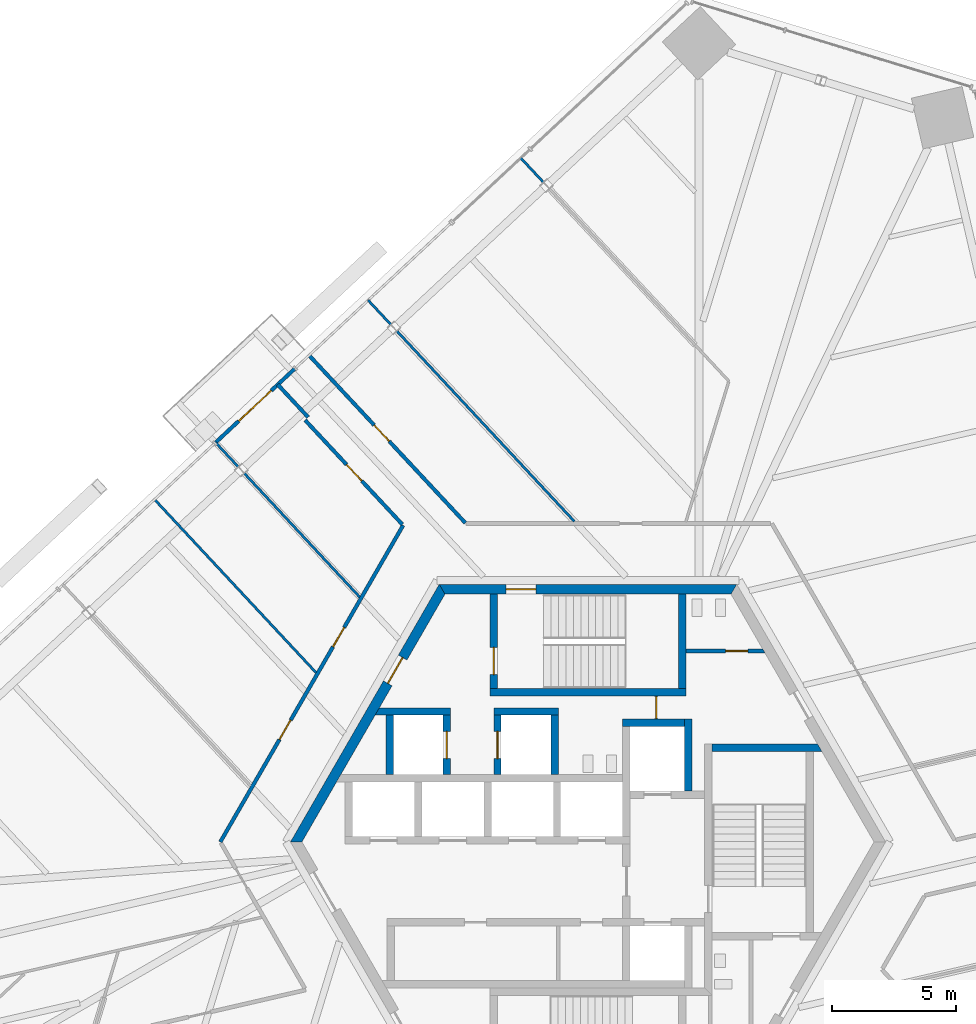
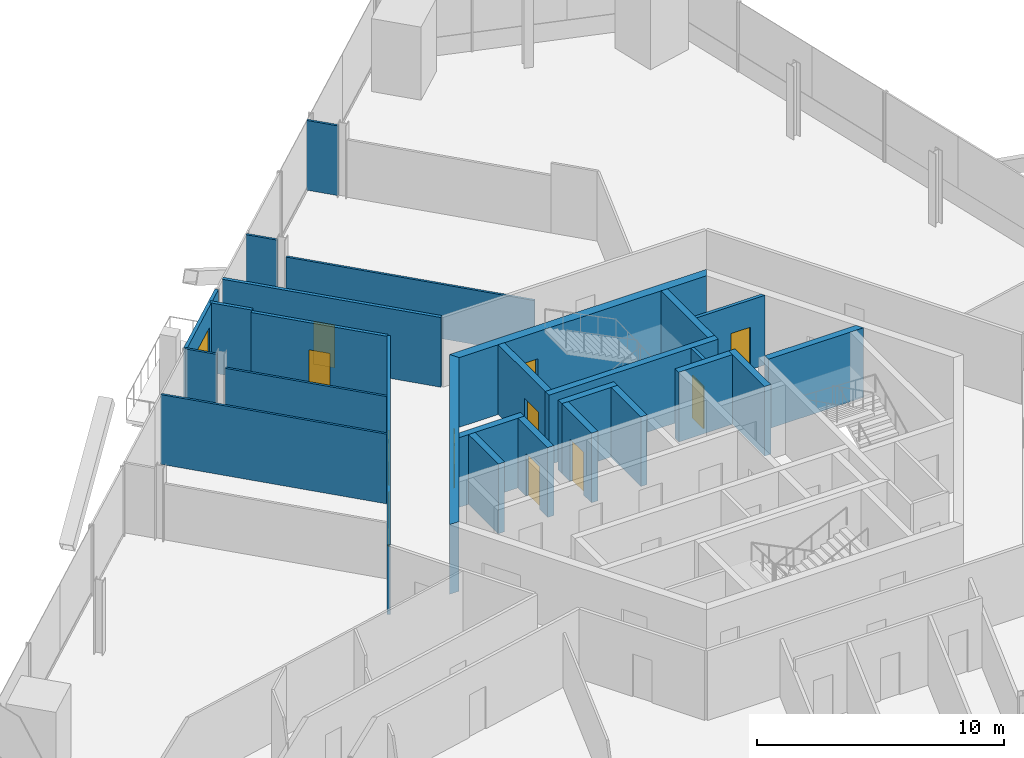
# One storey, part 14 of 19: 27 walls, 12 doors, 12 openings.
"""IFC4 building model written with IfcOpenShell, lengths in metres."""

import ifcopenshell
import ifcopenshell.guid

model = None  # the IFC model being written
_history = None  # IfcOwnerHistory: only IFC2X3 demands one
_inside = {}  # id of a spatial element -> (the spatial element, [elements in it])
_under = {}  # id of a project, library or spatial element -> (it, [spatial elements below it])
_declared = {}  # id of a project -> (the project, [libraries it declares])
_typed = {}  # id of a type object -> (the type object, [elements of that type])
_made_of = {}  # id of a material, layer set ... -> (it, [elements and type objects made of it])


def new_model(schema):
    """Start an empty IFC model of exactly this schema.

    Asked for "IFC4X3", IfcOpenShell would pick the latest addendum, in which some entities
    have other attributes; the version numbers below select the first issue.
    IFC2X3 requires an IfcOwnerHistory on every rooted entity: one is made here for all.
    """
    global model, _history
    if schema == "IFC4X3":
        model = ifcopenshell.file(schema_version=(4, 3, 0, 0))
    else:
        model = ifcopenshell.file(schema=schema)
    _inside.clear()
    _under.clear()
    _declared.clear()
    _typed.clear()
    _made_of.clear()
    _history = None
    if model.schema == "IFC2X3":
        org = make("IfcOrganization", Name="unknown")
        user = make(
            "IfcPersonAndOrganization",
            ThePerson=make("IfcPerson", FamilyName="unknown"),
            TheOrganization=org,
        )
        app = make(
            "IfcApplication",
            ApplicationDeveloper=org,
            Version="unknown",
            ApplicationFullName="unknown",
            ApplicationIdentifier="unknown",
        )
        _history = make(
            "IfcOwnerHistory",
            OwningUser=user,
            OwningApplication=app,
            ChangeAction="ADDED",
            CreationDate=0,
        )
    return model


def make(cls, **values):
    """One entity of the class cls with the attributes given. An attribute that is None is left unset."""
    return model.create_entity(
        cls, **{name: value for name, value in values.items() if value is not None}
    )


def rooted(cls, **values):
    """An entity with a GlobalId (a new one), such as an element, a storey or a relation."""
    return make(cls, GlobalId=ifcopenshell.guid.new(), OwnerHistory=_history, **values)


def si_unit(unit_type, name, prefix=None):
    """IfcSIUnit, for example si_unit("LENGTHUNIT", "METRE", prefix="MILLI")."""
    return make("IfcSIUnit", UnitType=unit_type, Prefix=prefix, Name=name)


def assignment(units):
    """IfcUnitAssignment: the units of a project."""
    return None if units is None else make("IfcUnitAssignment", Units=units)


def point(xyz):
    """IfcCartesianPoint."""
    return None if xyz is None else make("IfcCartesianPoint", Coordinates=xyz)


def direction(xyz):
    """IfcDirection."""
    return None if xyz is None else make("IfcDirection", DirectionRatios=xyz)


def frame(location, z_axis=None, x_axis=None):
    """IfcAxis2Placement3D, a coordinate frame: its origin and axes. An axis left out is left unset."""
    return make(
        "IfcAxis2Placement3D",
        Location=point(location),
        Axis=direction(z_axis),
        RefDirection=direction(x_axis),
    )


def frame_2d(location, x_axis=None):
    """IfcAxis2Placement2D, a coordinate frame in the plane: its origin and x axis."""
    return make(
        "IfcAxis2Placement2D", Location=point(location), RefDirection=direction(x_axis)
    )


def origin():
    """The frame at (0, 0, 0) with its axes left unset."""
    return frame((0.0, 0.0, 0.0))


def place(relative_to, where):
    """IfcLocalPlacement: puts the frame where relative to a parent placement (None: the world)."""
    return make(
        "IfcLocalPlacement", PlacementRelTo=relative_to, RelativePlacement=where
    )


def context(
    kind, dimensions, precision=None, world=None, true_north=None, identifier=None
):
    """IfcGeometricRepresentationContext, for example the 3D "Model" context."""
    return make(
        "IfcGeometricRepresentationContext",
        ContextIdentifier=identifier,
        ContextType=kind,
        CoordinateSpaceDimension=dimensions,
        Precision=precision,
        WorldCoordinateSystem=world,
        TrueNorth=true_north,
    )


def subcontext(parent, identifier, kind, view, scale=None):
    """IfcGeometricRepresentationSubContext, for example "Body" below "Model"."""
    return make(
        "IfcGeometricRepresentationSubContext",
        ContextIdentifier=identifier,
        ContextType=kind,
        ParentContext=parent,
        TargetScale=scale,
        TargetView=view,
    )


def project(units=None, contexts=None):
    """IfcProject with its units and contexts."""
    return rooted(
        "IfcProject",
        Name="project",
        RepresentationContexts=contexts,
        UnitsInContext=assignment(units),
    )


def spatial(cls, under=None, at=None, **own):
    """A site, building, storey or space (cls), placed at a placement, below another one or the project."""
    s = rooted(cls, ObjectPlacement=at, **own)
    if under is not None:
        _under.setdefault(under.id(), (under, []))[1].append(s)
    return s


def polyline(points):
    """IfcPolyline through the points."""
    return make("IfcPolyline", Points=[point(p) for p in points])


def profile(cls, at=None, kind="AREA", **sizes):
    """A parametric profile (cls). Its sizes go by their IFC names, for example OverallWidth=200.0."""
    return make(cls, ProfileType=kind, Position=at, **sizes)


def rectangle(**sizes):
    """IfcRectangleProfileDef."""
    return profile("IfcRectangleProfileDef", **sizes)


def outline(outer, holes=None, kind="AREA"):
    """IfcArbitraryClosedProfileDef: a profile drawn as a closed curve; with holes, ...WithVoids."""
    if holes is None:
        return make("IfcArbitraryClosedProfileDef", ProfileType=kind, OuterCurve=outer)
    return make(
        "IfcArbitraryProfileDefWithVoids",
        ProfileType=kind,
        OuterCurve=outer,
        InnerCurves=holes,
    )


def extrude(swept, where, along, depth):
    """IfcExtrudedAreaSolid: the profile swept, set in the frame where, extruded along a direction by depth."""
    return make(
        "IfcExtrudedAreaSolid",
        SweptArea=swept,
        Position=where,
        ExtrudedDirection=direction(along),
        Depth=depth,
    )


def shape(context_of_items, identifier, shape_type, items):
    """IfcShapeRepresentation: the items that make up one representation, for example the "Body"."""
    return make(
        "IfcShapeRepresentation",
        ContextOfItems=context_of_items,
        RepresentationIdentifier=identifier,
        RepresentationType=shape_type,
        Items=items,
    )


def source(mapping_origin, context_of_items, identifier, shape_type, items):
    """IfcRepresentationMap: a shape defined once, which mapped items show again and again."""
    return make(
        "IfcRepresentationMap",
        MappingOrigin=mapping_origin,
        MappedRepresentation=shape(context_of_items, identifier, shape_type, items),
    )


def transform(
    local_origin,
    x_axis=None,
    y_axis=None,
    z_axis=None,
    scale=None,
    scale2=None,
    scale3=None,
    uniform=True,
):
    """IfcCartesianTransformationOperator3D, or its non-uniform kind. x_axis, y_axis, z_axis: its Axis1, 2, 3."""
    if uniform:
        return make(
            "IfcCartesianTransformationOperator3D",
            Axis1=direction(x_axis),
            Axis2=direction(y_axis),
            LocalOrigin=point(local_origin),
            Scale=scale,
            Axis3=direction(z_axis),
        )
    return make(
        "IfcCartesianTransformationOperator3DnonUniform",
        Axis1=direction(x_axis),
        Axis2=direction(y_axis),
        LocalOrigin=point(local_origin),
        Scale=scale,
        Axis3=direction(z_axis),
        Scale2=scale2,
        Scale3=scale3,
    )


def mapped(mapping_source, mapping_target):
    """IfcMappedItem: shows the shape of a source again, moved by a transform."""
    return make(
        "IfcMappedItem", MappingSource=mapping_source, MappingTarget=mapping_target
    )


def material(Name=None, Category=None):
    """IfcMaterial."""
    return make("IfcMaterial", Name=Name, Category=Category)


def layer(
    of_material, thickness, ventilated=None, Name=None, Category=None, Priority=None
):
    """IfcMaterialLayer: one layer of a wall or slab, of a material (None: an air gap)."""
    return make(
        "IfcMaterialLayer",
        Material=of_material,
        LayerThickness=thickness,
        IsVentilated=ventilated,
        Name=Name,
        Category=Category,
        Priority=Priority,
    )


def layer_set(layers, Name=None):
    """IfcMaterialLayerSet."""
    return make("IfcMaterialLayerSet", MaterialLayers=layers, LayerSetName=Name)


def made_of(thing, what):
    """Note that an element or type object is made of a material, layer set ...; save() writes the relation."""
    if what is not None:
        _made_of.setdefault(what.id(), (what, []))[1].append(thing)
    return thing


def type_object(cls, material=None, **own):
    """A type object (cls), such as IfcWallType, which elements share."""
    return made_of(rooted(cls, **own), material)


def element(
    cls,
    number,
    at=None,
    inside=None,
    cuts=None,
    type_object=None,
    material=None,
    context=None,
    identifier="Body",
    shape_type=None,
    held_by="IfcProductDefinitionShape",
    body=None,
    shapes=None,
    **own,
):
    """One element of the class cls, such as IfcWall. Its Tag is "e" and its number.

    at: its placement. inside: the storey or other place that contains it. cuts: it is an
    opening in that element (IfcRelVoidsElement). A single representation is given by context,
    identifier, shape_type and body (its items); several are given by shapes. held_by: the class
    of the entity that holds the representations. save() writes the other relations.
    """
    e = rooted(cls, Tag="e%d" % number, ObjectPlacement=at, **own)
    if body is not None:
        shapes = [shape(context, identifier, shape_type, body)]
    if shapes is not None:
        e.Representation = make(held_by, Representations=shapes)
    if inside is not None:
        _inside.setdefault(inside.id(), (inside, []))[1].append(e)
    if cuts is not None:
        rooted(
            "IfcRelVoidsElement", RelatingBuildingElement=cuts, RelatedOpeningElement=e
        )
    if type_object is not None:
        _typed.setdefault(type_object.id(), (type_object, []))[1].append(e)
    return made_of(e, material)


def fill(opening, filler):
    """IfcRelFillsElement: the door or window that sits in an opening."""
    return rooted(
        "IfcRelFillsElement",
        RelatingOpeningElement=opening,
        RelatedBuildingElement=filler,
    )


def aggregate(whole, parts):
    """IfcRelAggregates: a whole, such as a stair, and the parts it consists of."""
    return rooted("IfcRelAggregates", RelatingObject=whole, RelatedObjects=parts)


def save(model, path):
    """Write the relations noted so far, then the file.

    IfcRelAggregates (storeys below a building ...), IfcRelContainedInSpatialStructure (elements
    in a storey), IfcRelDefinesByType, IfcRelAssociatesMaterial and IfcRelDeclares: one each for
    every whole, place, type object, material and project.
    """
    for whole, parts in _under.values():
        aggregate(whole, parts)
    for where, things in _inside.values():
        rooted(
            "IfcRelContainedInSpatialStructure",
            RelatedElements=things,
            RelatingStructure=where,
        )
    for kind, things in _typed.values():
        rooted("IfcRelDefinesByType", RelatedObjects=things, RelatingType=kind)
    for what, things in _made_of.values():
        rooted("IfcRelAssociatesMaterial", RelatedObjects=things, RelatingMaterial=what)
    for by, libraries in _declared.values():
        rooted("IfcRelDeclares", RelatingContext=by, RelatedDefinitions=libraries)
    model.write(path)


model = new_model("IFC4")

# Units and contexts
model_context = context("Model", 3, precision=1e-05, world=origin(), true_north=direction((0.0, 1.0)))
body_context = subcontext(model_context, "Body", "Model", "MODEL_VIEW")
ifc_project = project(units=[si_unit("LENGTHUNIT", "METRE"), si_unit("AREAUNIT", "SQUARE_METRE"), si_unit("VOLUMEUNIT", "CUBIC_METRE"), si_unit("PLANEANGLEUNIT", "RADIAN"), si_unit("MASSUNIT", "GRAM", prefix="KILO")], contexts=[model_context])

# Site, building, storey
site_placement = place(None, origin())
site = spatial("IfcSite", under=ifc_project, at=site_placement, CompositionType="ELEMENT")
building_placement = place(site_placement, origin())
building = spatial("IfcBuilding", under=site, at=building_placement, Name="Triune Harvest Tower", CompositionType="ELEMENT")
storey_placement = place(building_placement, frame((0.0, 0.0, 109.10009765625)))
storey = spatial("IfcBuildingStorey", under=building, at=storey_placement, Name="L27", CompositionType="ELEMENT", Elevation=109.10009765625)

# Wall, opening, door
ifc_material_1 = material(Name="Gypsum board on steel studs", Category="steel")
ifc_layer_1 = layer(ifc_material_1, 0.14990234375)
ifc_layer_set_1 = layer_set([ifc_layer_1], Name="Gypsum board on steel studs")
wall_type_1 = type_object("IfcWallType", Name="Fire Partition 150 mm", PredefinedType="PARTITIONING", material=ifc_layer_set_1)
wall_1_placement = place(storey_placement, frame((-11.409912109375, 17.01171875, 0.0), z_axis=(0.0, 0.0, 1.0), x_axis=(0.681977691781, -0.731372974557, 0.0)))
wall_1 = element("IfcWall", 1, at=wall_1_placement, inside=storey, type_object=wall_type_1, Name="Partition L27 013", PredefinedType="PARTITIONING", context=body_context, shape_type="SweptSolid", body=[
    extrude(rectangle(XDim=5.748291015625, YDim=0.14990234375, at=frame_2d((2.8740234375, 0.0))), origin(), (0.0, 0.0, 1.0), 3.43994140625),
])
opening_1_placement = place(wall_1_placement, frame((2.448974609375, 0.0, 0.0)))
opening_1 = element("IfcOpeningElement", 2, at=opening_1_placement, cuts=wall_1, Name="Opening L27-010", PredefinedType="OPENING", context=body_context, shape_type="SweptSolid", body=[
    extrude(rectangle(XDim=0.89990234375, YDim=2.10009765625, at=frame_2d((0.449951171875, 1.050048828125))), frame((0.0, 0.0849609375, 0.0), z_axis=(0.0, -1.0, 0.0), x_axis=(1.0, 0.0, 0.0)), (0.0, 0.0, 1.0), 0.169921875),
])
ifc_material_2 = material(Name="Timber and steel door set", Category="steel")
door_type_1 = type_object("IfcDoorType", Name="Single leaf door FD30 right hand 900 x 2100", OperationType="SINGLE_SWING_RIGHT", PredefinedType="DOOR", material=ifc_material_2)
door_1_placement = place(opening_1_placement, origin())
door_1 = element("IfcDoor", 3, at=door_1_placement, inside=storey, type_object=door_type_1, Name="Door L27-010 Meeting Room 27.10", OperationType="SINGLE_SWING_RIGHT", OverallHeight=2.10009765625, OverallWidth=0.89990234375, PredefinedType="DOOR", context=body_context, shape_type="SweptSolid", body=[
    extrude(rectangle(XDim=0.89990234375, YDim=2.10009765625, at=frame_2d((0.449951171875, 1.050048828125))), frame((0.0, 0.02490234375, 0.0), z_axis=(0.0, -1.0, 0.0), x_axis=(1.0, 0.0, 0.0)), (0.0, 0.0, 1.0), 0.050048828125),
])
fill(opening_1, door_1)

# Wall
wall_2_placement = place(storey_placement, frame((-12.513671875, 18.4453125, 0.0), z_axis=(0.0, 0.0, 1.0), x_axis=(0.681936629844, -0.731411261109, 0.0)))
element("IfcWall", 4, at=wall_2_placement, inside=storey, type_object=wall_type_1, Name="Partition L27 016", PredefinedType="PARTITIONING", context=body_context, shape_type="SweptSolid", body=[
    extrude(rectangle(XDim=1.80126953125, YDim=0.14990234375, at=frame_2d((0.900634765625, 0.0))), origin(), (0.0, 0.0, 1.0), 3.43994140625),
])

# Wall, opening, door
wall_3_placement = place(storey_placement, frame((-11.248779296875, 19.62451171875, 0.0), z_axis=(0.0, 0.0, 1.0), x_axis=(0.681994471629, -0.731357327623, 0.0)))
wall_3 = element("IfcWall", 5, at=wall_3_placement, inside=storey, type_object=wall_type_1, Name="Partition L27 017", PredefinedType="PARTITIONING", context=body_context, shape_type="SweptSolid", body=[
    extrude(rectangle(XDim=9.24365234375, YDim=0.14990234375, at=frame_2d((4.621826171875, 0.0))), origin(), (0.0, 0.0, 1.0), 3.43994140625),
])
opening_2_placement = place(wall_3_placement, frame((3.84375, 0.0, 0.0)))
opening_2 = element("IfcOpeningElement", 6, at=opening_2_placement, cuts=wall_3, Name="Opening L27-011", PredefinedType="OPENING", context=body_context, shape_type="SweptSolid", body=[
    extrude(rectangle(XDim=0.89990234375, YDim=2.10009765625, at=frame_2d((0.449951171875, 1.050048828125))), frame((0.0, 0.0849609375, 0.0), z_axis=(0.0, -1.0, 0.0), x_axis=(1.0, 0.0, 0.0)), (0.0, 0.0, 1.0), 0.169921875),
])
ifc_material_3 = material(Name="Timber and steel door set", Category="steel")
door_type_2 = type_object("IfcDoorType", Name="Single leaf door FD30 left hand 900 x 2100", OperationType="SINGLE_SWING_LEFT", PredefinedType="DOOR", material=ifc_material_3)
door_2_placement = place(opening_2_placement, origin())
door_2 = element("IfcDoor", 7, at=door_2_placement, inside=storey, type_object=door_type_2, Name="Door L27-011 Office 27.11", OperationType="SINGLE_SWING_LEFT", OverallHeight=2.10009765625, OverallWidth=0.89990234375, PredefinedType="DOOR", context=body_context, shape_type="SweptSolid", body=[
    extrude(rectangle(XDim=0.89990234375, YDim=2.10009765625, at=frame_2d((0.449951171875, 1.050048828125))), frame((0.0, 0.02490234375, 0.0), z_axis=(0.0, -1.0, 0.0), x_axis=(1.0, 0.0, 0.0)), (0.0, 0.0, 1.0), 0.050048828125),
])
fill(opening_2, door_2)

# Wall
ifc_material_4 = material(Name="Gypsum board on steel studs", Category="steel")
ifc_layer_2 = layer(ifc_material_4, 0.10009765625)
ifc_layer_set_2 = layer_set([ifc_layer_2], Name="Gypsum board on steel studs")
wall_type_2 = type_object("IfcWallType", Name="Partition 100 mm", PredefinedType="PARTITIONING", material=ifc_layer_set_2)
wall_4_placement = place(storey_placement, frame((-17.48193359375, 13.81201171875, 0.0), z_axis=(0.0, 0.0, 1.0), x_axis=(0.682004076535, -0.731348370881, 0.0)))
element("IfcWall", 8, at=wall_4_placement, inside=storey, type_object=wall_type_2, Name="Partition L27 009", PredefinedType="PARTITIONING", context=body_context, shape_type="SweptSolid", body=[
    extrude(rectangle(XDim=9.553955078125, YDim=0.10009765625, at=frame_2d((4.77685546875, 0.0))), origin(), (0.0, 0.0, 1.0), 3.43994140625),
])

# Wall, opening, door
ifc_material_5 = material(Name="Concrete 70 MPa", Category="concrete")
ifc_layer_3 = layer(ifc_material_5, 0.39990234375)
ifc_layer_set_3 = layer_set([ifc_layer_3], Name="Concrete 70 MPa")
wall_type_3 = type_object("IfcWallType", Name="Core wall 400", PredefinedType="SHEAR", material=ifc_layer_set_3)
shared_shape_1 = source(origin(), body_context, "Body", "SweptSolid", [
    extrude(outline(polyline([(-0.115478515625, -0.199951171875), (11.884521484375, -0.199951171875), (11.653564453125, 0.199951171875), (0.115478515625, 0.199951171875), (-0.115478515625, -0.199951171875)])), origin(), (0.0, 0.0, 1.0), 3.43994140625),
])
wall_5_placement = place(storey_placement, frame((5.884521484375, 10.1923828125, 0.0), z_axis=(0.0, 0.0, 1.0), x_axis=(-1.0, 0.0, 0.0)))
wall_5 = element("IfcWall", 9, at=wall_5_placement, inside=storey, type_object=wall_type_3, Name="Hexagon 1 wall", PredefinedType="SHEAR", context=body_context, shape_type="MappedRepresentation", body=[
    mapped(shared_shape_1, transform((0.0, 0.0, 0.0), scale=1.0)),
])
opening_3_placement = place(wall_5_placement, frame((7.984619140625, 0.0, 0.0)))
opening_3 = element("IfcOpeningElement", 10, at=opening_3_placement, cuts=wall_5, Name="Opening CD-S1P", PredefinedType="OPENING", context=body_context, shape_type="SweptSolid", body=[
    extrude(rectangle(XDim=1.199951171875, YDim=2.10009765625, at=frame_2d((0.60009765625, 1.050048828125))), frame((0.0, 0.2099609375, 0.0), z_axis=(0.0, -1.0, 0.0), x_axis=(1.0, 0.0, 0.0)), (0.0, 0.0, 1.0), 0.419921875),
])
ifc_material_6 = material(Name="Steel S235", Category="steel")
door_type_3 = type_object("IfcDoorType", Name="Stair door 1200 FD120", OperationType="SINGLE_SWING_LEFT", PredefinedType="DOOR", material=ifc_material_6)
door_3_placement = place(opening_3_placement, frame((1.199951171875, 0.0, 0.0), z_axis=(0.0, 0.0, 1.0), x_axis=(-1.0, 0.0, 0.0)))
door_3 = element("IfcDoor", 11, at=door_3_placement, inside=storey, type_object=door_type_3, Name="Door CD-S1P", OperationType="SINGLE_SWING_RIGHT", OverallHeight=2.10009765625, OverallWidth=1.199951171875, PredefinedType="DOOR", context=body_context, shape_type="SweptSolid", body=[
    extrude(rectangle(XDim=1.199951171875, YDim=2.10009765625, at=frame_2d((0.60009765625, 1.050048828125))), frame((0.0, 0.02490234375, 0.0), z_axis=(0.0, -1.0, 0.0), x_axis=(1.0, 0.0, 0.0)), (0.0, 0.0, 1.0), 0.050048828125),
])
fill(opening_3, door_3)

wall_6_placement = place(storey_placement, frame((-5.884521484375, 10.1923828125, 0.0), z_axis=(0.0, 0.0, 1.0), x_axis=(-0.499996592174, -0.866027371285, 0.0)))
wall_6 = element("IfcWall", 12, at=wall_6_placement, inside=storey, type_object=wall_type_3, Name="Hexagon 2 wall", PredefinedType="SHEAR", context=body_context, shape_type="MappedRepresentation", body=[
    mapped(shared_shape_1, transform((0.0, 0.0, 0.0), scale=1.0)),
])
opening_4_placement = place(wall_6_placement, frame((3.1845703125, 0.0, 0.0)))
opening_4 = element("IfcOpeningElement", 13, at=opening_4_placement, cuts=wall_6, Name="Opening CD-SVP", PredefinedType="OPENING", context=body_context, shape_type="SweptSolid", body=[
    extrude(rectangle(XDim=1.199951171875, YDim=2.10009765625, at=frame_2d((0.60009765625, 1.050048828125))), frame((0.0, 0.2099609375, 0.0), z_axis=(0.0, -1.0, 0.0), x_axis=(1.0, 0.0, 0.0)), (0.0, 0.0, 1.0), 0.419921875),
])
ifc_material_7 = material(Name="Steel S235", Category="steel")
door_type_4 = type_object("IfcDoorType", Name="Service door 1200 FD120", OperationType="SINGLE_SWING_LEFT", PredefinedType="DOOR", material=ifc_material_7)
door_4_placement = place(opening_4_placement, frame((1.199951171875, 0.0, 0.0), z_axis=(0.0, 0.0, 1.0), x_axis=(-1.0, 0.0, 0.0)))
door_4 = element("IfcDoor", 14, at=door_4_placement, inside=storey, type_object=door_type_4, Name="Door CD-SVP", OperationType="SINGLE_SWING_RIGHT", OverallHeight=2.10009765625, OverallWidth=1.199951171875, PredefinedType="DOOR", context=body_context, shape_type="SweptSolid", body=[
    extrude(rectangle(XDim=1.199951171875, YDim=2.10009765625, at=frame_2d((0.60009765625, 1.050048828125))), frame((0.0, 0.02490234375, 0.0), z_axis=(0.0, -1.0, 0.0), x_axis=(1.0, 0.0, 0.0)), (0.0, 0.0, 1.0), 0.050048828125),
])
fill(opening_4, door_4)

# Walls
ifc_material_8 = material(Name="Concrete 70 MPa", Category="concrete")
ifc_layer_4 = layer(ifc_material_8, 0.300048828125)
ifc_layer_set_4 = layer_set([ifc_layer_4], Name="Concrete 70 MPa")
wall_type_4 = type_object("IfcWallType", Name="Core wall 300", PredefinedType="SHEAR", material=ifc_layer_set_4)
shared_shape_2 = source(origin(), body_context, "Body", "SweptSolid", [
    extrude(rectangle(XDim=2.5, YDim=0.300048828125, at=frame_2d((1.25, 0.0))), origin(), (0.0, 0.0, 1.0), 3.43994140625),
])
wall_7_placement = place(storey_placement, frame((1.39990234375, 4.81005859375, 0.0), z_axis=(0.0, 0.0, 1.0), x_axis=(1.0, 0.0, 0.0)))
element("IfcWall", 15, at=wall_7_placement, inside=storey, type_object=wall_type_4, Name="Ff1 back wall", PredefinedType="SHEAR", context=body_context, shape_type="MappedRepresentation", body=[
    mapped(shared_shape_2, transform((0.0, 0.0, 0.0), scale=1.0)),
])
shared_shape_3 = source(origin(), body_context, "Body", "SweptSolid", [
    extrude(rectangle(XDim=2.89990234375, YDim=0.300048828125, at=frame_2d((1.449951171875, 0.0))), origin(), (0.0, 0.0, 1.0), 3.43994140625),
])
wall_8_placement = place(storey_placement, frame((4.050048828125, 2.06005859375, 0.0), z_axis=(0.0, 0.0, 1.0), x_axis=(0.0, 1.0, 0.0)))
element("IfcWall", 16, at=wall_8_placement, inside=storey, type_object=wall_type_4, Name="Ff1 east wall", PredefinedType="SHEAR", context=body_context, shape_type="MappedRepresentation", body=[
    mapped(shared_shape_3, transform((0.0, 0.0, 0.0), scale=1.0)),
])
shared_shape_4 = source(origin(), body_context, "Body", "SweptSolid", [
    extrude(outline(polyline([(0.0, -0.14990234375), (0.0, 0.14990234375), (4.260009765625, 0.14990234375), (4.43310546875, -0.14990234375), (0.0, -0.14990234375)])), origin(), (0.0, 0.0, 1.0), 3.43994140625),
])
wall_9_placement = place(storey_placement, frame((5.0, 3.800048828125, 0.0), z_axis=(0.0, 0.0, 1.0), x_axis=(1.0, 0.0, 0.0)))
element("IfcWall", 17, at=wall_9_placement, inside=storey, type_object=wall_type_4, Name="Stair e north wall", PredefinedType="SHEAR", context=body_context, shape_type="MappedRepresentation", body=[
    mapped(shared_shape_4, transform((0.0, 0.0, 0.0), scale=1.0)),
])
shared_shape_5 = source(origin(), body_context, "Body", "SweptSolid", [
    extrude(rectangle(XDim=7.89990234375, YDim=0.300048828125, at=frame_2d((3.949951171875, 0.0))), origin(), (0.0, 0.0, 1.0), 3.43994140625),
])
wall_10_placement = place(storey_placement, frame((-3.949951171875, 6.0400390625, 0.0), z_axis=(0.0, 0.0, 1.0), x_axis=(1.0, 0.0, 0.0)))
element("IfcWall", 18, at=wall_10_placement, inside=storey, type_object=wall_type_4, Name="Stair n south wall", PredefinedType="SHEAR", context=body_context, shape_type="MappedRepresentation", body=[
    mapped(shared_shape_5, transform((0.0, 0.0, 0.0), scale=1.0)),
])

# Wall, opening, door
shared_shape_6 = source(origin(), body_context, "Body", "SweptSolid", [
    extrude(outline(polyline([(0.0, -0.14990234375), (0.0, 0.14990234375), (3.80419921875, 0.14990234375), (3.80419921875, -0.14990234375), (0.0, -0.14990234375)])), origin(), (0.0, 0.0, 1.0), 3.43994140625),
])
wall_11_placement = place(storey_placement, frame((-3.800048828125, 6.18994140625, 0.0), z_axis=(0.0, 0.0, 1.0), x_axis=(0.0, 1.0, 0.0)))
wall_11 = element("IfcWall", 19, at=wall_11_placement, inside=storey, type_object=wall_type_4, Name="Stair n west wall", PredefinedType="SHEAR", context=body_context, shape_type="MappedRepresentation", body=[
    mapped(shared_shape_6, transform((0.0, 0.0, 0.0), scale=1.0)),
])
opening_5_placement = place(wall_11_placement, frame((0.56005859375, 0.0, 0.0)))
opening_5 = element("IfcOpeningElement", 20, at=opening_5_placement, cuts=wall_11, Name="Opening CD-S1L", PredefinedType="OPENING", context=body_context, shape_type="SweptSolid", body=[
    extrude(rectangle(XDim=1.10009765625, YDim=2.10009765625, at=frame_2d((0.550048828125, 1.050048828125))), frame((0.0, 0.16015625, 0.0), z_axis=(0.0, -1.0, 0.0), x_axis=(1.0, 0.0, 0.0)), (0.0, 0.0, 1.0), 0.320068359375),
])
ifc_material_9 = material(Name="Steel S235", Category="steel")
door_type_5 = type_object("IfcDoorType", Name="Stair door 1100 FD120", OperationType="SINGLE_SWING_LEFT", PredefinedType="DOOR", material=ifc_material_9)
door_5_placement = place(opening_5_placement, frame((1.10009765625, 0.0, 0.0), z_axis=(0.0, 0.0, 1.0), x_axis=(-1.0, 0.0, 0.0)))
door_5 = element("IfcDoor", 21, at=door_5_placement, inside=storey, type_object=door_type_5, Name="Door CD-S1L", OperationType="SINGLE_SWING_RIGHT", OverallHeight=2.10009765625, OverallWidth=1.10009765625, PredefinedType="DOOR", context=body_context, shape_type="SweptSolid", body=[
    extrude(rectangle(XDim=1.10009765625, YDim=2.10009765625, at=frame_2d((0.550048828125, 1.050048828125))), frame((0.0, 0.02490234375, 0.0), z_axis=(0.0, -1.0, 0.0), x_axis=(1.0, 0.0, 0.0)), (0.0, 0.0, 1.0), 0.050048828125),
])
fill(opening_5, door_5)

# Walls
wall_12_placement = place(storey_placement, frame((3.800048828125, 6.18994140625, 0.0), z_axis=(0.0, 0.0, 1.0), x_axis=(0.0, 1.0, 0.0)))
element("IfcWall", 22, at=wall_12_placement, inside=storey, type_object=wall_type_4, Name="Stair n east wall", PredefinedType="SHEAR", context=body_context, shape_type="MappedRepresentation", body=[
    mapped(shared_shape_6, transform((0.0, 0.0, 0.0), scale=1.0)),
])
shared_shape_7 = source(origin(), body_context, "Body", "SweptSolid", [
    extrude(outline(polyline([(2.60009765625, -0.14990234375), (-0.440185546875, -0.14990234375), (-0.26708984375, 0.14990234375), (2.60009765625, 0.14990234375), (2.60009765625, -0.14990234375)])), origin(), (0.0, 0.0, 1.0), 3.43994140625),
])
wall_13_placement = place(storey_placement, frame((-8.14990234375, 5.260009765625, 0.0), z_axis=(0.0, 0.0, 1.0), x_axis=(1.0, 0.0, 0.0)))
element("IfcWall", 23, at=wall_13_placement, inside=storey, type_object=wall_type_4, Name="Sv1 north wall", PredefinedType="SHEAR", context=body_context, shape_type="MappedRepresentation", body=[
    mapped(shared_shape_7, transform((0.0, 0.0, 0.0), scale=1.0)),
])
shared_shape_8 = source(origin(), body_context, "Body", "SweptSolid", [
    extrude(rectangle(XDim=2.400146484375, YDim=0.300048828125, at=frame_2d((1.2001953125, 0.0))), origin(), (0.0, 0.0, 1.0), 3.43994140625),
])
wall_14_placement = place(storey_placement, frame((-8.0, 2.7099609375, 0.0), z_axis=(0.0, 0.0, 1.0), x_axis=(0.0, 1.0, 0.0)))
element("IfcWall", 24, at=wall_14_placement, inside=storey, type_object=wall_type_4, Name="Sv1 west wall", PredefinedType="SHEAR", context=body_context, shape_type="MappedRepresentation", body=[
    mapped(shared_shape_8, transform((0.0, 0.0, 0.0), scale=1.0)),
])

# Wall, opening, door
wall_15_placement = place(storey_placement, frame((-5.699951171875, 2.7099609375, 0.0), z_axis=(0.0, 0.0, 1.0), x_axis=(0.0, 1.0, 0.0)))
wall_15 = element("IfcWall", 25, at=wall_15_placement, inside=storey, type_object=wall_type_4, Name="Sv1 east wall", PredefinedType="SHEAR", context=body_context, shape_type="MappedRepresentation", body=[
    mapped(shared_shape_8, transform((0.0, 0.0, 0.0), scale=1.0)),
])
opening_6_placement = place(wall_15_placement, frame((0.64990234375, 0.0, 0.0)))
opening_6 = element("IfcOpeningElement", 26, at=opening_6_placement, cuts=wall_15, Name="Opening LD-SV1-27", PredefinedType="OPENING", context=body_context, shape_type="SweptSolid", body=[
    extrude(rectangle(XDim=1.10009765625, YDim=2.10009765625, at=frame_2d((0.550048828125, 1.050048828125))), frame((0.0, 0.16015625, 0.0), z_axis=(0.0, -1.0, 0.0), x_axis=(1.0, 0.0, 0.0)), (0.0, 0.0, 1.0), 0.320068359375),
])
ifc_material_10 = material(Name="Stainless steel AISI 304", Category="steel")
door_type_6 = type_object("IfcDoorType", Name="Landing door 1100 x 2100", OperationType="DOUBLE_DOOR_SLIDING", PredefinedType="DOOR", material=ifc_material_10)
door_6_placement = place(opening_6_placement, origin())
door_6 = element("IfcDoor", 27, at=door_6_placement, inside=storey, type_object=door_type_6, Name="Door LD-SV1-27", OperationType="DOUBLE_DOOR_SLIDING", OverallHeight=2.10009765625, OverallWidth=1.10009765625, PredefinedType="DOOR", context=body_context, shape_type="SweptSolid", body=[
    extrude(rectangle(XDim=1.10009765625, YDim=2.10009765625, at=frame_2d((0.550048828125, 1.050048828125))), frame((0.0, 0.02490234375, 0.0), z_axis=(0.0, -1.0, 0.0), x_axis=(1.0, 0.0, 0.0)), (0.0, 0.0, 1.0), 0.050048828125),
])
fill(opening_6, door_6)

wall_16_placement = place(storey_placement, frame((-3.64990234375, 2.7099609375, 0.0), z_axis=(0.0, 0.0, 1.0), x_axis=(0.0, 1.0, 0.0)))
wall_16 = element("IfcWall", 28, at=wall_16_placement, inside=storey, type_object=wall_type_4, Name="Sv2 west wall", PredefinedType="SHEAR", context=body_context, shape_type="MappedRepresentation", body=[
    mapped(shared_shape_8, transform((0.0, 0.0, 0.0), scale=1.0)),
])
opening_7_placement = place(wall_16_placement, frame((0.64990234375, 0.0, 0.0)))
opening_7 = element("IfcOpeningElement", 29, at=opening_7_placement, cuts=wall_16, Name="Opening LD-SV2-27", PredefinedType="OPENING", context=body_context, shape_type="SweptSolid", body=[
    extrude(rectangle(XDim=1.10009765625, YDim=2.10009765625, at=frame_2d((0.550048828125, 1.050048828125))), frame((0.0, 0.16015625, 0.0), z_axis=(0.0, -1.0, 0.0), x_axis=(1.0, 0.0, 0.0)), (0.0, 0.0, 1.0), 0.320068359375),
])
door_7_placement = place(opening_7_placement, origin())
door_7 = element("IfcDoor", 30, at=door_7_placement, inside=storey, type_object=door_type_6, Name="Door LD-SV2-27", OperationType="DOUBLE_DOOR_SLIDING", OverallHeight=2.10009765625, OverallWidth=1.10009765625, PredefinedType="DOOR", context=body_context, shape_type="SweptSolid", body=[
    extrude(rectangle(XDim=1.10009765625, YDim=2.10009765625, at=frame_2d((0.550048828125, 1.050048828125))), frame((0.0, 0.02490234375, 0.0), z_axis=(0.0, -1.0, 0.0), x_axis=(1.0, 0.0, 0.0)), (0.0, 0.0, 1.0), 0.050048828125),
])
fill(opening_7, door_7)

# Walls
wall_17_placement = place(storey_placement, frame((-1.35009765625, 2.7099609375, 0.0), z_axis=(0.0, 0.0, 1.0), x_axis=(0.0, 1.0, 0.0)))
element("IfcWall", 31, at=wall_17_placement, inside=storey, type_object=wall_type_4, Name="Sv2 east wall", PredefinedType="SHEAR", context=body_context, shape_type="MappedRepresentation", body=[
    mapped(shared_shape_8, transform((0.0, 0.0, 0.0), scale=1.0)),
])
shared_shape_9 = source(origin(), body_context, "Body", "SweptSolid", [
    extrude(rectangle(XDim=2.60009765625, YDim=0.300048828125, at=frame_2d((1.300048828125, 0.0))), origin(), (0.0, 0.0, 1.0), 3.43994140625),
])
wall_18_placement = place(storey_placement, frame((-3.800048828125, 5.260009765625, 0.0), z_axis=(0.0, 0.0, 1.0), x_axis=(1.0, 0.0, 0.0)))
element("IfcWall", 32, at=wall_18_placement, inside=storey, type_object=wall_type_4, Name="Sv2 north wall", PredefinedType="SHEAR", context=body_context, shape_type="MappedRepresentation", body=[
    mapped(shared_shape_9, transform((0.0, 0.0, 0.0), scale=1.0)),
])

# Wall, opening, door
ifc_material_11 = material(Name="Concrete masonry unit", Category="masonry")
ifc_layer_5 = layer(ifc_material_11, 0.14990234375)
ifc_layer_set_5 = layer_set([ifc_layer_5], Name="Concrete masonry unit")
wall_type_5 = type_object("IfcWallType", Name="Block partition 150 unrated", PredefinedType="PARTITIONING", material=ifc_layer_set_5)
shared_shape_10 = source(origin(), body_context, "Body", "SweptSolid", [
    extrude(outline(polyline([(0.0, -0.074951171875), (0.0, 0.074951171875), (3.1015625, 0.074951171875), (3.18798828125, -0.074951171875), (0.0, -0.074951171875)])), origin(), (0.0, 0.0, 1.0), 3.43994140625),
])
wall_19_placement = place(storey_placement, frame((3.949951171875, 7.699951171875, 0.0), z_axis=(0.0, 0.0, 1.0), x_axis=(1.0, 0.0, 0.0)))
wall_19 = element("IfcWall", 33, at=wall_19_placement, inside=storey, type_object=wall_type_5, Name="Wc women south wall", PredefinedType="PARTITIONING", context=body_context, shape_type="MappedRepresentation", body=[
    mapped(shared_shape_10, transform((0.0, 0.0, 0.0), scale=1.0)),
])
opening_8_placement = place(wall_19_placement, frame((1.60009765625, 0.0, 0.0)))
opening_8 = element("IfcOpeningElement", 34, at=opening_8_placement, cuts=wall_19, Name="Opening CD-WW", PredefinedType="OPENING", context=body_context, shape_type="SweptSolid", body=[
    extrude(rectangle(XDim=0.89990234375, YDim=2.10009765625, at=frame_2d((0.449951171875, 1.050048828125))), frame((0.0, 0.0849609375, 0.0), z_axis=(0.0, -1.0, 0.0), x_axis=(1.0, 0.0, 0.0)), (0.0, 0.0, 1.0), 0.169921875),
])
ifc_material_12 = material(Name="Timber C24", Category="wood")
door_type_7 = type_object("IfcDoorType", Name="WC door 900", OperationType="SINGLE_SWING_LEFT", PredefinedType="DOOR", material=ifc_material_12)
door_8_placement = place(opening_8_placement, origin())
door_8 = element("IfcDoor", 35, at=door_8_placement, inside=storey, type_object=door_type_7, Name="Door CD-WW", OperationType="SINGLE_SWING_LEFT", OverallHeight=2.10009765625, OverallWidth=0.89990234375, PredefinedType="DOOR", context=body_context, shape_type="SweptSolid", body=[
    extrude(rectangle(XDim=0.89990234375, YDim=2.10009765625, at=frame_2d((0.449951171875, 1.050048828125))), frame((0.0, 0.02490234375, 0.0), z_axis=(0.0, -1.0, 0.0), x_axis=(1.0, 0.0, 0.0)), (0.0, 0.0, 1.0), 0.050048828125),
])
fill(opening_8, door_8)

shared_shape_11 = source(origin(), body_context, "Body", "SweptSolid", [
    extrude(rectangle(XDim=0.929931640625, YDim=0.14990234375, at=frame_2d((0.46484375, 0.0))), origin(), (0.0, 0.0, 1.0), 3.43994140625),
])
wall_20_placement = place(storey_placement, frame((2.75, 4.9599609375, 0.0), z_axis=(0.0, 0.0, 1.0), x_axis=(0.0, 1.0, 0.0)))
wall_20 = element("IfcWall", 36, at=wall_20_placement, inside=storey, type_object=wall_type_5, Name="Wc men east b wall", PredefinedType="PARTITIONING", context=body_context, shape_type="MappedRepresentation", body=[
    mapped(shared_shape_11, transform((0.0, 0.0, 0.0), scale=1.0)),
])
opening_9_placement = place(wall_20_placement, frame((0.014892578125, 0.0, 0.0)))
opening_9 = element("IfcOpeningElement", 37, at=opening_9_placement, cuts=wall_20, Name="Opening CD-WM", PredefinedType="OPENING", context=body_context, shape_type="SweptSolid", body=[
    extrude(rectangle(XDim=0.89990234375, YDim=2.10009765625, at=frame_2d((0.449951171875, 1.050048828125))), frame((0.0, 0.0849609375, 0.0), z_axis=(0.0, -1.0, 0.0), x_axis=(1.0, 0.0, 0.0)), (0.0, 0.0, 1.0), 0.169921875),
])
door_9_placement = place(opening_9_placement, origin())
door_9 = element("IfcDoor", 38, at=door_9_placement, inside=storey, type_object=door_type_7, Name="Door CD-WM", OperationType="SINGLE_SWING_LEFT", OverallHeight=2.10009765625, OverallWidth=0.89990234375, PredefinedType="DOOR", context=body_context, shape_type="SweptSolid", body=[
    extrude(rectangle(XDim=0.89990234375, YDim=2.10009765625, at=frame_2d((0.449951171875, 1.050048828125))), frame((0.0, 0.02490234375, 0.0), z_axis=(0.0, -1.0, 0.0), x_axis=(1.0, 0.0, 0.0)), (0.0, 0.0, 1.0), 0.050048828125),
])
fill(opening_9, door_9)

ifc_material_13 = material(Name="Aluminium bronze anodised", Category="aluminium")
ifc_layer_6 = layer(ifc_material_13, 0.14990234375)
ifc_layer_set_6 = layer_set([ifc_layer_6], Name="Aluminium bronze anodised")
wall_type_6 = type_object("IfcWallType", Name="WW-2 balcony window wall", PredefinedType="ELEMENTEDWALL", material=ifc_layer_set_6)
shared_shape_12 = source(origin(), body_context, "Body", "SweptSolid", [
    extrude(rectangle(XDim=4.353271484375, YDim=0.14990234375, at=frame_2d((2.1767578125, 0.0))), origin(), (0.0, 0.0, 1.0), 3.43994140625),
])
wall_21_placement = place(storey_placement, frame((-15.0205078125, 16.107421875, 0.0), z_axis=(0.0, 0.0, 1.0), x_axis=(0.731351722258, 0.682000482661, 0.0)))
wall_21 = element("IfcWall", 39, at=wall_21_placement, inside=storey, type_object=wall_type_6, Name="WW-2 B3-F3 L27.6", PredefinedType="ELEMENTEDWALL", context=body_context, shape_type="MappedRepresentation", body=[
    mapped(shared_shape_12, transform((0.0, 0.0, 0.0), scale=1.0)),
])
opening_10_placement = place(wall_21_placement, frame((1.276611328125, 0.0, 0.0)))
opening_10 = element("IfcOpeningElement", 40, at=opening_10_placement, cuts=wall_21, Name="Opening L27-E01", PredefinedType="OPENING", context=body_context, shape_type="SweptSolid", body=[
    extrude(rectangle(XDim=1.800048828125, YDim=2.39990234375, at=frame_2d((0.89990234375, 1.199951171875))), frame((0.0, 0.0849609375, 0.0), z_axis=(0.0, -1.0, 0.0), x_axis=(1.0, 0.0, 0.0)), (0.0, 0.0, 1.0), 0.169921875),
])
ifc_material_14 = material(Name="Glass", Category="glass")
door_type_8 = type_object("IfcDoorType", Name="DB-1 balcony door 1800 x 2400", OperationType="DOUBLE_DOOR_SINGLE_SWING", PredefinedType="DOOR", material=ifc_material_14)
door_10_placement = place(opening_10_placement, origin())
door_10 = element("IfcDoor", 41, at=door_10_placement, inside=storey, type_object=door_type_8, Name="Door L27-E01", OperationType="DOUBLE_DOOR_SINGLE_SWING", OverallHeight=2.39990234375, OverallWidth=1.800048828125, PredefinedType="DOOR", context=body_context, shape_type="SweptSolid", body=[
    extrude(rectangle(XDim=1.800048828125, YDim=2.39990234375, at=frame_2d((0.89990234375, 1.199951171875))), frame((0.0, 0.02490234375, 0.0), z_axis=(0.0, -1.0, 0.0), x_axis=(1.0, 0.0, 0.0)), (0.0, 0.0, 1.0), 0.050048828125),
])
fill(opening_10, door_10)

# Walls
shared_shape_13 = source(origin(), body_context, "Body", "SweptSolid", [
    extrude(rectangle(XDim=1.338134765625, YDim=0.10009765625, at=frame_2d((0.6689453125, 0.0))), origin(), (0.0, 0.0, 1.0), 3.43994140625),
])
for number, where, z_axis, x_axis, name in (
    (42, (-15.020263671875, 16.107666015625, 0.0), (0.0, 0.0, 1.0), (0.681954155979, -0.731394920096, 0.0), "Partition L27 010"),
    (43, (-8.866455078125, 21.84619140625, 0.0), (0.0, 0.0, 1.0), (0.681954155979, -0.731394920096, 0.0), "Partition L27 019"),
    (44, (-2.71240234375, 27.584716796875, 0.0), (0.0, 0.0, 1.0), (0.68204515899, -0.731310058114, 0.0), "Partition L27 021"),
):
    element("IfcWall", number, at=place(storey_placement, frame(where, z_axis=z_axis, x_axis=x_axis)), inside=storey, type_object=wall_type_2, Name=name, PredefinedType="PARTITIONING", context=body_context, shape_type="MappedRepresentation", body=[
        mapped(shared_shape_13, transform((0.0, 0.0, 0.0), scale=1.0)),
    ])
shared_shape_14 = source(origin(), body_context, "Body", "SweptSolid", [
    extrude(rectangle(XDim=6.825927734375, YDim=0.10009765625, at=frame_2d((3.4130859375, 0.0))), origin(), (0.0, 0.0, 1.0), 2.82763671875),
])
wall_22_placement = place(storey_placement, frame((-13.861572265625, 14.864990234375, 0.0), z_axis=(0.0, 0.0, 1.0), x_axis=(0.681997049961, -0.731354923306, 0.0)))
element("IfcWall", 45, at=wall_22_placement, inside=storey, type_object=wall_type_2, Name="Partition L27 011", PredefinedType="PARTITIONING", context=body_context, shape_type="MappedRepresentation", body=[
    mapped(shared_shape_14, transform((0.0, 0.0, 0.0), scale=1.0)),
])
shared_shape_15 = source(origin(), body_context, "Body", "SweptSolid", [
    extrude(rectangle(XDim=10.491943359375, YDim=0.10009765625, at=frame_2d((5.24609375, 0.0))), origin(), (0.0, 0.0, 1.0), 2.682861328125),
])
wall_23_placement = place(storey_placement, frame((-7.707763671875, 20.603515625, 0.0), z_axis=(0.0, 0.0, 1.0), x_axis=(0.681998992862, -0.731353111524, 0.0)))
element("IfcWall", 46, at=wall_23_placement, inside=storey, type_object=wall_type_2, Name="Partition L27 020", PredefinedType="PARTITIONING", context=body_context, shape_type="MappedRepresentation", body=[
    mapped(shared_shape_15, transform((0.0, 0.0, 0.0), scale=1.0)),
])

# Wall, openings, doors
shared_shape_16 = source(origin(), body_context, "Body", "SweptSolid", [
    extrude(rectangle(XDim=14.746826171875, YDim=0.14990234375, at=frame_2d((7.37353515625, 0.0))), origin(), (0.0, 0.0, 1.0), 3.43994140625),
])
wall_24_placement = place(storey_placement, frame((-14.8291015625, 0.0, 0.0), z_axis=(0.0, 0.0, 1.0), x_axis=(0.500010025398, 0.866019615541, 0.0)))
wall_24 = element("IfcWall", 47, at=wall_24_placement, inside=storey, type_object=wall_type_1, Name="Partition L27 049", PredefinedType="PARTITIONING", context=body_context, shape_type="MappedRepresentation", body=[
    mapped(shared_shape_16, transform((0.0, 0.0, 0.0), scale=1.0)),
])
opening_11_placement = place(wall_24_placement, frame((4.771240234375, 0.0, 0.0)))
opening_11 = element("IfcOpeningElement", 48, at=opening_11_placement, cuts=wall_24, Name="Opening L27-012", PredefinedType="OPENING", context=body_context, shape_type="SweptSolid", body=[
    extrude(rectangle(XDim=0.89990234375, YDim=2.10009765625, at=frame_2d((0.449951171875, 1.050048828125))), frame((0.0, 0.0849609375, 0.0), z_axis=(0.0, -1.0, 0.0), x_axis=(1.0, 0.0, 0.0)), (0.0, 0.0, 1.0), 0.169921875),
])
opening_12_placement = place(wall_24_placement, frame((9.0908203125, 0.0, 0.0)))
opening_12 = element("IfcOpeningElement", 49, at=opening_12_placement, cuts=wall_24, Name="Opening L27-013", PredefinedType="OPENING", context=body_context, shape_type="SweptSolid", body=[
    extrude(rectangle(XDim=0.89990234375, YDim=2.10009765625, at=frame_2d((0.449951171875, 1.050048828125))), frame((0.0, 0.0849609375, 0.0), z_axis=(0.0, -1.0, 0.0), x_axis=(1.0, 0.0, 0.0)), (0.0, 0.0, 1.0), 0.169921875),
])
door_11_placement = place(opening_11_placement, origin())
door_11 = element("IfcDoor", 50, at=door_11_placement, inside=storey, type_object=door_type_2, Name="Door L27-012 Office 27.12", OperationType="SINGLE_SWING_LEFT", OverallHeight=2.10009765625, OverallWidth=0.89990234375, PredefinedType="DOOR", context=body_context, shape_type="SweptSolid", body=[
    extrude(rectangle(XDim=0.89990234375, YDim=2.10009765625, at=frame_2d((0.449951171875, 1.050048828125))), frame((0.0, 0.02490234375, 0.0), z_axis=(0.0, -1.0, 0.0), x_axis=(1.0, 0.0, 0.0)), (0.0, 0.0, 1.0), 0.050048828125),
])
fill(opening_11, door_11)
door_12_placement = place(opening_12_placement, origin())
door_12 = element("IfcDoor", 51, at=door_12_placement, inside=storey, type_object=door_type_1, Name="Door L27-013 Office 27.13", OperationType="SINGLE_SWING_RIGHT", OverallHeight=2.10009765625, OverallWidth=0.89990234375, PredefinedType="DOOR", context=body_context, shape_type="SweptSolid", body=[
    extrude(rectangle(XDim=0.89990234375, YDim=2.10009765625, at=frame_2d((0.449951171875, 1.050048828125))), frame((0.0, 0.02490234375, 0.0), z_axis=(0.0, -1.0, 0.0), x_axis=(1.0, 0.0, 0.0)), (0.0, 0.0, 1.0), 0.050048828125),
])
fill(opening_12, door_12)

save(model, "model.ifc")
